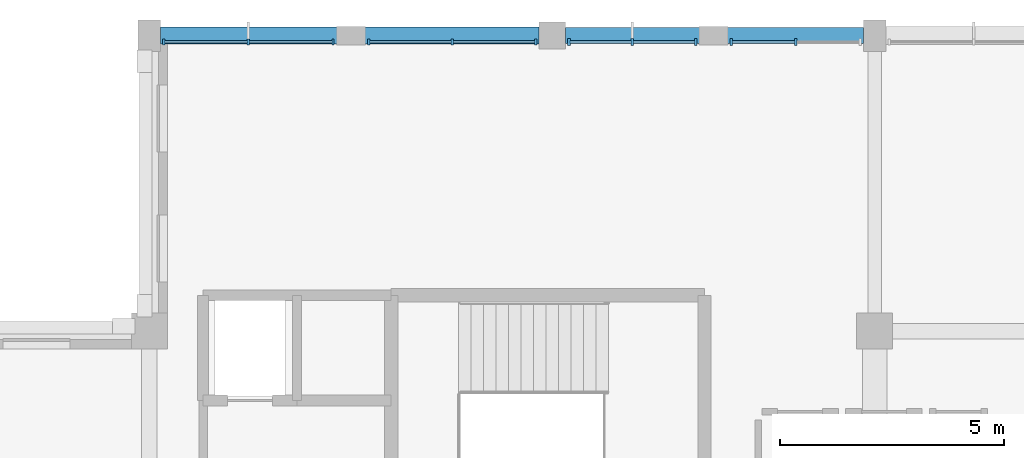
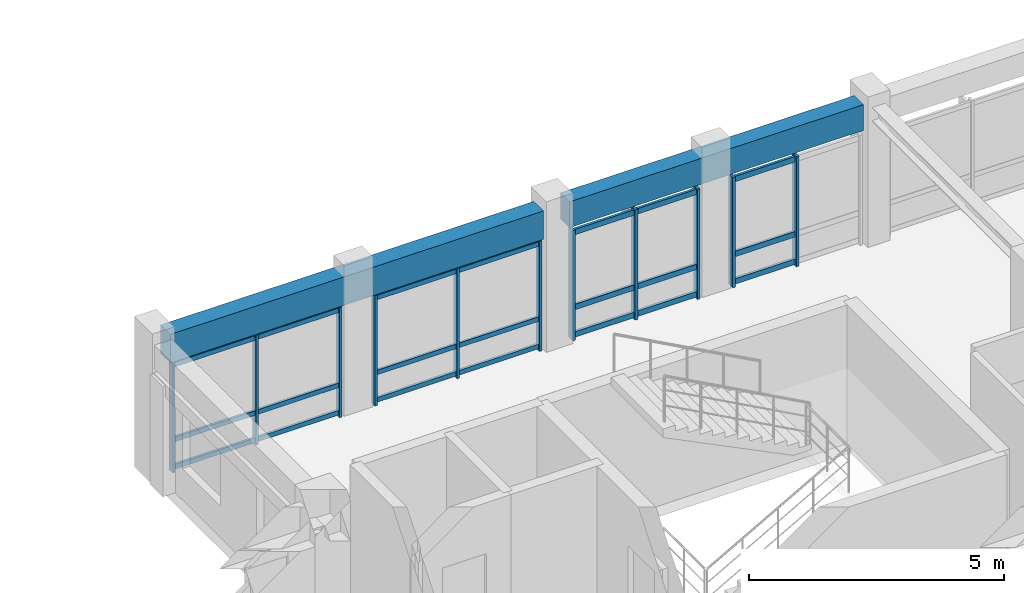
# One storey, part 33 of 74: 32 members, 2 beams, 4 elements without a shape of their own.
"""IFC4 building model written with IfcOpenShell, lengths in metres."""

from ifc_helpers import new_model, si_unit, direction, frame, origin, origin_2d, place, context, subcontext, project, spatial, rectangle, extrude, material, material_profile, profile_set, type_object, element, aggregate, save


model = new_model("IFC4")

# Units and contexts
model_context = context("Model", 3, precision=1e-05, world=origin(), true_north=direction((0.0, 1.0)))
body_context = subcontext(model_context, "Body", "Model", "MODEL_VIEW")
ifc_project = project(units=[si_unit("LENGTHUNIT", "METRE"), si_unit("AREAUNIT", "SQUARE_METRE"), si_unit("VOLUMEUNIT", "CUBIC_METRE"), si_unit("PLANEANGLEUNIT", "RADIAN"), si_unit("MASSUNIT", "GRAM", prefix="KILO")], contexts=[model_context])

# Site, building, storey
site_placement = place(None, origin())
site = spatial("IfcSite", under=ifc_project, at=site_placement, CompositionType="ELEMENT")
building_placement = place(site_placement, origin())
building = spatial("IfcBuilding", under=site, at=building_placement, Name="Clarverna Civic Hall", CompositionType="ELEMENT")
storey_placement = place(building_placement, frame((0.0, 0.0, 9.60009765625)))
storey = spatial("IfcBuildingStorey", under=building, at=storey_placement, Name="L02", CompositionType="ELEMENT", Elevation=9.60009765625)

# Beams
ifc_material_1 = material(Name="Concrete C35/45", Category="concrete")
ifc_material_profile_1 = material_profile(ifc_material_1, rectangle(XDim=0.3798828125, YDim=0.679931640625, at=origin_2d()), Name="RC 380x680")
ifc_profile_set_1 = profile_set([ifc_material_profile_1], Name="Concrete C35/45")
beam_type_1 = type_object("IfcBeamType", Name="B-SP2", PredefinedType="SPANDREL", material=ifc_profile_set_1)
beam_1_placement = place(storey_placement, frame((113.64990234375, 116.0, 2.97998046875), z_axis=(1.0, 0.0, 0.0), x_axis=(0.0, 1.0, 0.0)))
element("IfcBeam", 1, at=beam_1_placement, inside=storey, type_object=beam_type_1, Name="B-SP2-095", PredefinedType="SPANDREL", context=body_context, shape_type="SweptSolid", body=[
    extrude(rectangle(XDim=0.3798828125, YDim=0.679931640625, at=origin_2d()), origin(), (0.0, 0.0, 1.0), 8.4501953125),
])
ifc_material_profile_2 = material_profile(ifc_material_1, rectangle(XDim=0.360107421875, YDim=0.6201171875, at=origin_2d()), Name="RC 360x620")
ifc_profile_set_2 = profile_set([ifc_material_profile_2], Name="Concrete C35/45")
beam_type_2 = type_object("IfcBeamType", Name="B-SP3", PredefinedType="SPANDREL", material=ifc_profile_set_2)
beam_2_placement = place(storey_placement, frame((122.699951171875, 116.0, 3.010009765625), z_axis=(1.0, 0.0, 0.0), x_axis=(0.0, 1.0, 0.0)))
element("IfcBeam", 2, at=beam_2_placement, inside=storey, type_object=beam_type_2, Name="B-SP3-094", PredefinedType="SPANDREL", context=body_context, shape_type="SweptSolid", body=[
    extrude(rectangle(XDim=0.360107421875, YDim=0.6201171875, at=origin_2d()), origin(), (0.0, 0.0, 1.0), 6.650146484375),
])

# Curtain wall, members
ifc_material_2 = material(Name="Anodised Bronze Architectural Aluminium", Category="aluminium")
curtain_wall_type = type_object("IfcCurtainWallType", Name="CW-01", PredefinedType="USERDEFINED", material=ifc_material_2)
curtain_wall_1_placement = place(storey_placement, origin())
curtain_wall_1 = element("IfcCurtainWall", 3, at=curtain_wall_1_placement, inside=storey, type_object=curtain_wall_type, Name="CW-01-032", ObjectType="UNITISED CURTAIN WALL", PredefinedType="USERDEFINED")
ifc_material_profile_3 = material_profile(ifc_material_2, rectangle(XDim=0.06005859375, YDim=0.159912109375, at=origin_2d()), Name="BRONZE 60x160")
ifc_profile_set_3 = profile_set([ifc_material_profile_3], Name="Anodised Bronze Architectural Aluminium")
member_type_1 = type_object("IfcMemberType", Name="CWM-02", PredefinedType="MULLION", material=ifc_profile_set_3)
member_1_placement = place(storey_placement, frame((122.77294921875, 115.860107421875, 0.0), z_axis=(0.0, 0.0, 1.0), x_axis=(1.0, 0.0, 0.0)))
member_1 = element("IfcMember", 4, at=member_1_placement, type_object=member_type_1, Name="CWM-02-095", PredefinedType="MULLION", context=body_context, shape_type="SweptSolid", body=[
    extrude(rectangle(XDim=0.06005859375, YDim=0.159912109375, at=origin_2d()), origin(), (0.0, 0.0, 1.0), 2.639892578125),
])
member_2_placement = place(storey_placement, frame((124.1875, 115.860107421875, 0.0), z_axis=(0.0, 0.0, 1.0), x_axis=(1.0, 0.0, 0.0)))
member_2 = element("IfcMember", 5, at=member_2_placement, type_object=member_type_1, Name="CWM-02-096", PredefinedType="MULLION", context=body_context, shape_type="SweptSolid", body=[
    extrude(rectangle(XDim=0.06005859375, YDim=0.159912109375, at=origin_2d()), origin(), (0.0, 0.0, 1.0), 2.639892578125),
])
member_3_placement = place(storey_placement, frame((125.60205078125, 115.860107421875, 0.0), z_axis=(0.0, 0.0, 1.0), x_axis=(1.0, 0.0, 0.0)))
member_3 = element("IfcMember", 6, at=member_3_placement, type_object=member_type_1, Name="CWM-02-097", PredefinedType="MULLION", context=body_context, shape_type="SweptSolid", body=[
    extrude(rectangle(XDim=0.06005859375, YDim=0.159912109375, at=origin_2d()), origin(), (0.0, 0.0, 1.0), 2.639892578125),
])

curtain_wall_2_placement = place(storey_placement, origin())
curtain_wall_2 = element("IfcCurtainWall", 7, at=curtain_wall_2_placement, inside=storey, type_object=curtain_wall_type, Name="CW-01-033", ObjectType="UNITISED CURTAIN WALL", PredefinedType="USERDEFINED")
member_4_placement = place(storey_placement, frame((126.39794921875, 115.860107421875, 0.0), z_axis=(0.0, 0.0, 1.0), x_axis=(1.0, 0.0, 0.0)))
member_4 = element("IfcMember", 8, at=member_4_placement, type_object=member_type_1, Name="CWM-02-098", PredefinedType="MULLION", context=body_context, shape_type="SweptSolid", body=[
    extrude(rectangle(XDim=0.06005859375, YDim=0.159912109375, at=origin_2d()), origin(), (0.0, 0.0, 1.0), 2.639892578125),
])
member_5_placement = place(storey_placement, frame((127.83740234375, 115.860107421875, 0.0), z_axis=(0.0, 0.0, 1.0), x_axis=(1.0, 0.0, 0.0)))
member_5 = element("IfcMember", 9, at=member_5_placement, type_object=member_type_1, Name="CWM-02-099", PredefinedType="MULLION", context=body_context, shape_type="SweptSolid", body=[
    extrude(rectangle(XDim=0.06005859375, YDim=0.159912109375, at=origin_2d()), origin(), (0.0, 0.0, 1.0), 2.639892578125),
])

curtain_wall_3_placement = place(storey_placement, origin())
curtain_wall_3 = element("IfcCurtainWall", 10, at=curtain_wall_3_placement, inside=storey, type_object=curtain_wall_type, Name="CW-01-030", ObjectType="UNITISED CURTAIN WALL", PredefinedType="USERDEFINED")
ifc_material_profile_4 = material_profile(ifc_material_2, rectangle(XDim=0.054931640625, YDim=0.139892578125, at=origin_2d()), Name="BRONZE 55x140")
ifc_profile_set_4 = profile_set([ifc_material_profile_4], Name="Anodised Bronze Architectural Aluminium")
member_type_2 = type_object("IfcMemberType", Name="CWM-04", PredefinedType="MULLION", material=ifc_profile_set_4)
member_6_placement = place(storey_placement, frame((113.722900390625, 115.860107421875, 0.0), z_axis=(0.0, 0.0, 1.0), x_axis=(1.0, 0.0, 0.0)))
member_6 = element("IfcMember", 11, at=member_6_placement, type_object=member_type_2, Name="CWM-04-093", PredefinedType="MULLION", context=body_context, shape_type="SweptSolid", body=[
    extrude(rectangle(XDim=0.054931640625, YDim=0.139892578125, at=origin_2d()), origin(), (0.0, 0.0, 1.0), 2.639892578125),
])
member_7_placement = place(storey_placement, frame((115.612548828125, 115.860107421875, 0.0), z_axis=(0.0, 0.0, 1.0), x_axis=(1.0, 0.0, 0.0)))
member_7 = element("IfcMember", 12, at=member_7_placement, type_object=member_type_2, Name="CWM-04-094", PredefinedType="MULLION", context=body_context, shape_type="SweptSolid", body=[
    extrude(rectangle(XDim=0.054931640625, YDim=0.139892578125, at=origin_2d()), origin(), (0.0, 0.0, 1.0), 2.639892578125),
])
member_8_placement = place(storey_placement, frame((117.501953125, 115.860107421875, 0.0), z_axis=(0.0, 0.0, 1.0), x_axis=(1.0, 0.0, 0.0)))
member_8 = element("IfcMember", 13, at=member_8_placement, type_object=member_type_2, Name="CWM-04-095", PredefinedType="MULLION", context=body_context, shape_type="SweptSolid", body=[
    extrude(rectangle(XDim=0.054931640625, YDim=0.139892578125, at=origin_2d()), origin(), (0.0, 0.0, 1.0), 2.639892578125),
])

curtain_wall_4_placement = place(storey_placement, origin())
curtain_wall_4 = element("IfcCurtainWall", 14, at=curtain_wall_4_placement, inside=storey, type_object=curtain_wall_type, Name="CW-01-031", ObjectType="UNITISED CURTAIN WALL", PredefinedType="USERDEFINED")
member_9_placement = place(storey_placement, frame((118.298095703125, 115.860107421875, 0.0), z_axis=(0.0, 0.0, 1.0), x_axis=(1.0, 0.0, 0.0)))
member_9 = element("IfcMember", 15, at=member_9_placement, type_object=member_type_2, Name="CWM-04-096", PredefinedType="MULLION", context=body_context, shape_type="SweptSolid", body=[
    extrude(rectangle(XDim=0.054931640625, YDim=0.139892578125, at=origin_2d()), origin(), (0.0, 0.0, 1.0), 2.639892578125),
])
member_10_placement = place(storey_placement, frame((120.16259765625, 115.860107421875, 0.0), z_axis=(0.0, 0.0, 1.0), x_axis=(1.0, 0.0, 0.0)))
member_10 = element("IfcMember", 16, at=member_10_placement, type_object=member_type_2, Name="CWM-04-097", PredefinedType="MULLION", context=body_context, shape_type="SweptSolid", body=[
    extrude(rectangle(XDim=0.054931640625, YDim=0.139892578125, at=origin_2d()), origin(), (0.0, 0.0, 1.0), 2.639892578125),
])
member_11_placement = place(storey_placement, frame((122.027099609375, 115.860107421875, 0.0), z_axis=(0.0, 0.0, 1.0), x_axis=(1.0, 0.0, 0.0)))
member_11 = element("IfcMember", 17, at=member_11_placement, type_object=member_type_2, Name="CWM-04-098", PredefinedType="MULLION", context=body_context, shape_type="SweptSolid", body=[
    extrude(rectangle(XDim=0.054931640625, YDim=0.139892578125, at=origin_2d()), origin(), (0.0, 0.0, 1.0), 2.639892578125),
])

# Member
ifc_material_profile_5 = material_profile(ifc_material_2, rectangle(XDim=0.06005859375, YDim=0.1298828125, at=origin_2d()), Name="BRONZE 60x130")
ifc_profile_set_5 = profile_set([ifc_material_profile_5], Name="Anodised Bronze Architectural Aluminium")
member_type_3 = type_object("IfcMemberType", Name="CWT-02", PredefinedType="USERDEFINED", material=ifc_profile_set_5)
member_12_placement = place(storey_placement, frame((122.7880859375, 115.860107421875, 0.094970703125), z_axis=(1.0, 0.0, 0.0), x_axis=(0.0, 1.0, 0.0)))
member_12 = element("IfcMember", 18, at=member_12_placement, type_object=member_type_3, Name="CWT-02-199", ObjectType="TRANSOM", PredefinedType="USERDEFINED", context=body_context, shape_type="SweptSolid", body=[
    extrude(rectangle(XDim=0.06005859375, YDim=0.1298828125, at=origin_2d()), origin(), (0.0, 0.0, 1.0), 1.384521484375),
])

member_13_placement = place(storey_placement, frame((122.7880859375, 115.860107421875, 0.75), z_axis=(1.0, 0.0, 0.0), x_axis=(0.0, 1.0, 0.0)))
member_13 = element("IfcMember", 19, at=member_13_placement, type_object=member_type_3, Name="CWT-02-200", ObjectType="TRANSOM", PredefinedType="USERDEFINED", context=body_context, shape_type="SweptSolid", body=[
    extrude(rectangle(XDim=0.06005859375, YDim=0.1298828125, at=origin_2d()), origin(), (0.0, 0.0, 1.0), 1.384521484375),
])

member_14_placement = place(storey_placement, frame((122.7880859375, 115.860107421875, 2.544921875), z_axis=(1.0, 0.0, 0.0), x_axis=(0.0, 1.0, 0.0)))
member_14 = element("IfcMember", 20, at=member_14_placement, type_object=member_type_3, Name="CWT-02-201", ObjectType="TRANSOM", PredefinedType="USERDEFINED", context=body_context, shape_type="SweptSolid", body=[
    extrude(rectangle(XDim=0.06005859375, YDim=0.1298828125, at=origin_2d()), origin(), (0.0, 0.0, 1.0), 1.384521484375),
])

member_15_placement = place(storey_placement, frame((124.202392578125, 115.860107421875, 0.094970703125), z_axis=(1.0, 0.0, 0.0), x_axis=(0.0, 1.0, 0.0)))
member_15 = element("IfcMember", 21, at=member_15_placement, type_object=member_type_3, Name="CWT-02-202", ObjectType="TRANSOM", PredefinedType="USERDEFINED", context=body_context, shape_type="SweptSolid", body=[
    extrude(rectangle(XDim=0.06005859375, YDim=0.1298828125, at=origin_2d()), origin(), (0.0, 0.0, 1.0), 1.384521484375),
])

member_16_placement = place(storey_placement, frame((124.202392578125, 115.860107421875, 0.75), z_axis=(1.0, 0.0, 0.0), x_axis=(0.0, 1.0, 0.0)))
member_16 = element("IfcMember", 22, at=member_16_placement, type_object=member_type_3, Name="CWT-02-203", ObjectType="TRANSOM", PredefinedType="USERDEFINED", context=body_context, shape_type="SweptSolid", body=[
    extrude(rectangle(XDim=0.06005859375, YDim=0.1298828125, at=origin_2d()), origin(), (0.0, 0.0, 1.0), 1.384521484375),
])

member_17_placement = place(storey_placement, frame((124.202392578125, 115.860107421875, 2.544921875), z_axis=(1.0, 0.0, 0.0), x_axis=(0.0, 1.0, 0.0)))
member_17 = element("IfcMember", 23, at=member_17_placement, type_object=member_type_3, Name="CWT-02-204", ObjectType="TRANSOM", PredefinedType="USERDEFINED", context=body_context, shape_type="SweptSolid", body=[
    extrude(rectangle(XDim=0.06005859375, YDim=0.1298828125, at=origin_2d()), origin(), (0.0, 0.0, 1.0), 1.384521484375),
])

aggregate(curtain_wall_1, [member_1, member_2, member_3, member_12, member_13, member_14, member_15, member_16, member_17])

member_18_placement = place(storey_placement, frame((126.4130859375, 115.860107421875, 0.094970703125), z_axis=(1.0, 0.0, 0.0), x_axis=(0.0, 1.0, 0.0)))
member_18 = element("IfcMember", 24, at=member_18_placement, type_object=member_type_3, Name="CWT-02-205", ObjectType="TRANSOM", PredefinedType="USERDEFINED", context=body_context, shape_type="SweptSolid", body=[
    extrude(rectangle(XDim=0.06005859375, YDim=0.1298828125, at=origin_2d()), origin(), (0.0, 0.0, 1.0), 1.409423828125),
])

member_19_placement = place(storey_placement, frame((126.4130859375, 115.860107421875, 0.75), z_axis=(1.0, 0.0, 0.0), x_axis=(0.0, 1.0, 0.0)))
member_19 = element("IfcMember", 25, at=member_19_placement, type_object=member_type_3, Name="CWT-02-206", ObjectType="TRANSOM", PredefinedType="USERDEFINED", context=body_context, shape_type="SweptSolid", body=[
    extrude(rectangle(XDim=0.06005859375, YDim=0.1298828125, at=origin_2d()), origin(), (0.0, 0.0, 1.0), 1.409423828125),
])

member_20_placement = place(storey_placement, frame((126.4130859375, 115.860107421875, 2.544921875), z_axis=(1.0, 0.0, 0.0), x_axis=(0.0, 1.0, 0.0)))
member_20 = element("IfcMember", 26, at=member_20_placement, type_object=member_type_3, Name="CWT-02-207", ObjectType="TRANSOM", PredefinedType="USERDEFINED", context=body_context, shape_type="SweptSolid", body=[
    extrude(rectangle(XDim=0.06005859375, YDim=0.1298828125, at=origin_2d()), origin(), (0.0, 0.0, 1.0), 1.409423828125),
])

aggregate(curtain_wall_2, [member_4, member_5, member_18, member_19, member_20])

ifc_material_profile_6 = material_profile(ifc_material_2, rectangle(XDim=0.054931640625, YDim=0.110107421875, at=origin_2d()), Name="BRONZE 55x110")
ifc_profile_set_6 = profile_set([ifc_material_profile_6], Name="Anodised Bronze Architectural Aluminium")
member_type_4 = type_object("IfcMemberType", Name="CWT-04", PredefinedType="USERDEFINED", material=ifc_profile_set_6)
member_21_placement = place(storey_placement, frame((113.738037109375, 115.860107421875, 0.094970703125), z_axis=(1.0, 0.0, 0.0), x_axis=(0.0, 1.0, 0.0)))
member_21 = element("IfcMember", 27, at=member_21_placement, type_object=member_type_4, Name="CWT-04-196", ObjectType="TRANSOM", PredefinedType="USERDEFINED", context=body_context, shape_type="SweptSolid", body=[
    extrude(rectangle(XDim=0.054931640625, YDim=0.110107421875, at=origin_2d()), origin(), (0.0, 0.0, 1.0), 1.859375),
])

member_22_placement = place(storey_placement, frame((113.738037109375, 115.860107421875, 0.75), z_axis=(1.0, 0.0, 0.0), x_axis=(0.0, 1.0, 0.0)))
member_22 = element("IfcMember", 28, at=member_22_placement, type_object=member_type_4, Name="CWT-04-197", ObjectType="TRANSOM", PredefinedType="USERDEFINED", context=body_context, shape_type="SweptSolid", body=[
    extrude(rectangle(XDim=0.054931640625, YDim=0.110107421875, at=origin_2d()), origin(), (0.0, 0.0, 1.0), 1.859375),
])

member_23_placement = place(storey_placement, frame((113.738037109375, 115.860107421875, 2.544921875), z_axis=(1.0, 0.0, 0.0), x_axis=(0.0, 1.0, 0.0)))
member_23 = element("IfcMember", 29, at=member_23_placement, type_object=member_type_4, Name="CWT-04-198", ObjectType="TRANSOM", PredefinedType="USERDEFINED", context=body_context, shape_type="SweptSolid", body=[
    extrude(rectangle(XDim=0.054931640625, YDim=0.110107421875, at=origin_2d()), origin(), (0.0, 0.0, 1.0), 1.859375),
])

member_24_placement = place(storey_placement, frame((115.62744140625, 115.860107421875, 0.094970703125), z_axis=(1.0, 0.0, 0.0), x_axis=(0.0, 1.0, 0.0)))
member_24 = element("IfcMember", 30, at=member_24_placement, type_object=member_type_4, Name="CWT-04-199", ObjectType="TRANSOM", PredefinedType="USERDEFINED", context=body_context, shape_type="SweptSolid", body=[
    extrude(rectangle(XDim=0.054931640625, YDim=0.110107421875, at=origin_2d()), origin(), (0.0, 0.0, 1.0), 1.859619140625),
])

member_25_placement = place(storey_placement, frame((115.62744140625, 115.860107421875, 0.75), z_axis=(1.0, 0.0, 0.0), x_axis=(0.0, 1.0, 0.0)))
member_25 = element("IfcMember", 31, at=member_25_placement, type_object=member_type_4, Name="CWT-04-200", ObjectType="TRANSOM", PredefinedType="USERDEFINED", context=body_context, shape_type="SweptSolid", body=[
    extrude(rectangle(XDim=0.054931640625, YDim=0.110107421875, at=origin_2d()), origin(), (0.0, 0.0, 1.0), 1.859619140625),
])

member_26_placement = place(storey_placement, frame((115.62744140625, 115.860107421875, 2.544921875), z_axis=(1.0, 0.0, 0.0), x_axis=(0.0, 1.0, 0.0)))
member_26 = element("IfcMember", 32, at=member_26_placement, type_object=member_type_4, Name="CWT-04-201", ObjectType="TRANSOM", PredefinedType="USERDEFINED", context=body_context, shape_type="SweptSolid", body=[
    extrude(rectangle(XDim=0.054931640625, YDim=0.110107421875, at=origin_2d()), origin(), (0.0, 0.0, 1.0), 1.859619140625),
])

aggregate(curtain_wall_3, [member_6, member_7, member_8, member_21, member_22, member_23, member_24, member_25, member_26])

member_27_placement = place(storey_placement, frame((118.31298828125, 115.860107421875, 0.094970703125), z_axis=(1.0, 0.0, 0.0), x_axis=(0.0, 1.0, 0.0)))
member_27 = element("IfcMember", 33, at=member_27_placement, type_object=member_type_4, Name="CWT-04-202", ObjectType="TRANSOM", PredefinedType="USERDEFINED", context=body_context, shape_type="SweptSolid", body=[
    extrude(rectangle(XDim=0.054931640625, YDim=0.110107421875, at=origin_2d()), origin(), (0.0, 0.0, 1.0), 1.83447265625),
])

member_28_placement = place(storey_placement, frame((118.31298828125, 115.860107421875, 0.75), z_axis=(1.0, 0.0, 0.0), x_axis=(0.0, 1.0, 0.0)))
member_28 = element("IfcMember", 34, at=member_28_placement, type_object=member_type_4, Name="CWT-04-203", ObjectType="TRANSOM", PredefinedType="USERDEFINED", context=body_context, shape_type="SweptSolid", body=[
    extrude(rectangle(XDim=0.054931640625, YDim=0.110107421875, at=origin_2d()), origin(), (0.0, 0.0, 1.0), 1.83447265625),
])

member_29_placement = place(storey_placement, frame((118.31298828125, 115.860107421875, 2.544921875), z_axis=(1.0, 0.0, 0.0), x_axis=(0.0, 1.0, 0.0)))
member_29 = element("IfcMember", 35, at=member_29_placement, type_object=member_type_4, Name="CWT-04-204", ObjectType="TRANSOM", PredefinedType="USERDEFINED", context=body_context, shape_type="SweptSolid", body=[
    extrude(rectangle(XDim=0.054931640625, YDim=0.110107421875, at=origin_2d()), origin(), (0.0, 0.0, 1.0), 1.83447265625),
])

member_30_placement = place(storey_placement, frame((120.177490234375, 115.860107421875, 0.094970703125), z_axis=(1.0, 0.0, 0.0), x_axis=(0.0, 1.0, 0.0)))
member_30 = element("IfcMember", 36, at=member_30_placement, type_object=member_type_4, Name="CWT-04-205", ObjectType="TRANSOM", PredefinedType="USERDEFINED", context=body_context, shape_type="SweptSolid", body=[
    extrude(rectangle(XDim=0.054931640625, YDim=0.110107421875, at=origin_2d()), origin(), (0.0, 0.0, 1.0), 1.83447265625),
])

member_31_placement = place(storey_placement, frame((120.177490234375, 115.860107421875, 0.75), z_axis=(1.0, 0.0, 0.0), x_axis=(0.0, 1.0, 0.0)))
member_31 = element("IfcMember", 37, at=member_31_placement, type_object=member_type_4, Name="CWT-04-206", ObjectType="TRANSOM", PredefinedType="USERDEFINED", context=body_context, shape_type="SweptSolid", body=[
    extrude(rectangle(XDim=0.054931640625, YDim=0.110107421875, at=origin_2d()), origin(), (0.0, 0.0, 1.0), 1.83447265625),
])

member_32_placement = place(storey_placement, frame((120.177490234375, 115.860107421875, 2.544921875), z_axis=(1.0, 0.0, 0.0), x_axis=(0.0, 1.0, 0.0)))
member_32 = element("IfcMember", 38, at=member_32_placement, type_object=member_type_4, Name="CWT-04-207", ObjectType="TRANSOM", PredefinedType="USERDEFINED", context=body_context, shape_type="SweptSolid", body=[
    extrude(rectangle(XDim=0.054931640625, YDim=0.110107421875, at=origin_2d()), origin(), (0.0, 0.0, 1.0), 1.83447265625),
])

aggregate(curtain_wall_4, [member_9, member_10, member_11, member_27, member_28, member_29, member_30, member_31, member_32])

save(model, "model.ifc")
